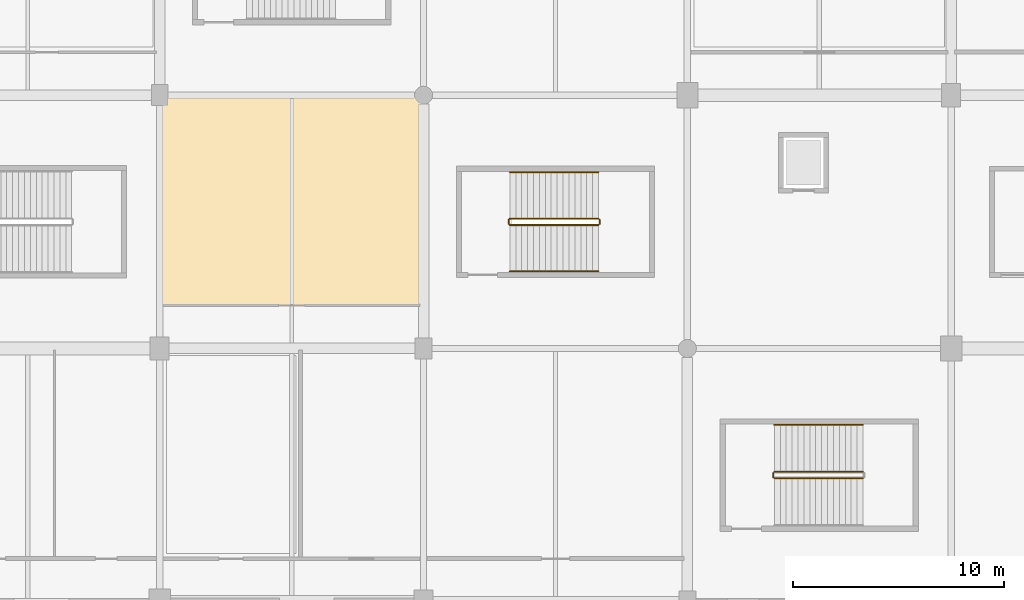
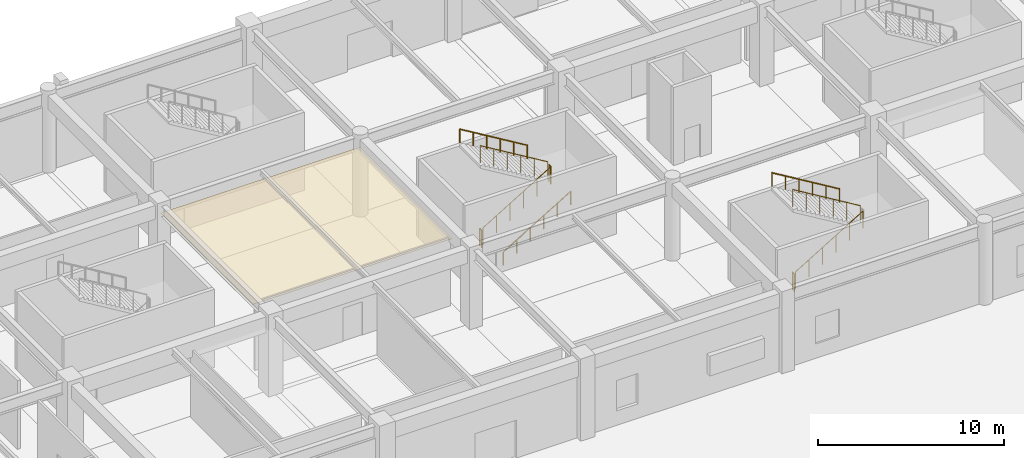
# One storey, part 63 of 69: 10 railings, 1 covering.
"""IFC4 building model written with IfcOpenShell, lengths in metres."""

from ifc_helpers import new_model, si_unit, direction, frame, origin, origin_2d, place, context, subcontext, project, spatial, polyline, circle, outline, extrude, material, layer, layer_set, type_object, element, save


model = new_model("IFC4")

# Units and contexts
model_context = context("Model", 3, precision=1e-05, world=origin(), true_north=direction((0.0, 1.0)))
body_context = subcontext(model_context, "Body", "Model", "MODEL_VIEW")
ifc_project = project(units=[si_unit("LENGTHUNIT", "METRE"), si_unit("AREAUNIT", "SQUARE_METRE"), si_unit("VOLUMEUNIT", "CUBIC_METRE"), si_unit("PLANEANGLEUNIT", "RADIAN"), si_unit("MASSUNIT", "GRAM", prefix="KILO")], contexts=[model_context])

# Site, building, storey
site_placement = place(None, origin())
site = spatial("IfcSite", under=ifc_project, at=site_placement, CompositionType="ELEMENT")
building_placement = place(site_placement, origin())
building = spatial("IfcBuilding", under=site, at=building_placement, Name="Kazenohara Klinker Stadium", CompositionType="ELEMENT")
storey_placement = place(building_placement, origin())
storey = spatial("IfcBuildingStorey", under=building, at=storey_placement, Name="L00", CompositionType="ELEMENT", Elevation=0.0)

# Covering
ifc_material_1 = material(Name="Perforated acoustic mineral-fibre ceiling tile", Category="gypsum")
ifc_layer_1 = layer(ifc_material_1, 0.030029296875)
ifc_layer_set_1 = layer_set([ifc_layer_1], Name="Perforated acoustic mineral-fibre ceiling tile")
covering_type = type_object("IfcCoveringType", Name="COV-CEIL-01", PredefinedType="CEILING", material=ifc_layer_set_1)
covering_placement = place(storey_placement, frame((0.0, 0.0, 4.35009765625)))
element("IfcCovering", 1, at=covering_placement, inside=storey, type_object=covering_type, Name="Suspended acoustic ceiling CL01 Spectator First-Aid Medical Clinic L00-0512A", PredefinedType="CEILING", context=body_context, shape_type="SweptSolid", body=[
    extrude(outline(polyline([(61.5400390625, 146.010009765625), (73.9599609375, 146.010009765625), (73.9599609375, 155.93994140625), (61.5400390625, 155.93994140625), (61.5400390625, 146.010009765625)])), origin(), (0.0, 0.0, 1.0), 0.02978515625),
])

# Railings
ifc_material_2 = material(Name="Brushed stainless steel 304 handrail", Category="steel")
ifc_layer_2 = layer(ifc_material_2, 0.050048828125)
ifc_layer_set_2 = layer_set([ifc_layer_2], Name="Brushed stainless steel 304 handrail")
railing_type_1 = type_object("IfcRailingType", Name="RL-HND-900", PredefinedType="HANDRAIL", material=ifc_layer_set_2)
railing_1_placement = place(storey_placement, frame((78.090087890625, 147.64990234375, 0.168701171875)))
element("IfcRailing", 2, at=railing_1_placement, inside=storey, type_object=railing_type_1, Name="L00 ST09 stair handrail 1", PredefinedType="HANDRAIL", context=body_context, shape_type="SweptSolid", body=[
    extrude(circle(Radius=0.02392578125, at=origin_2d()), frame((0.0, 0.0, 0.8759765625), z_axis=(0.856476492594, 0.0, 0.516186030065), x_axis=(0.0, 1.0, 0.0)), (0.0, 0.0, 1.0), 4.90380859375),
    extrude(circle(Radius=0.02099609375, at=origin_2d()), origin(), (0.0, 0.0, 1.0), 0.851806640625),
    extrude(circle(Radius=0.02099609375, at=origin_2d()), frame((0.840087890625, 0.0, 0.50634765625)), (0.0, 0.0, 1.0), 0.851806640625),
    extrude(circle(Radius=0.02099609375, at=origin_2d()), frame((1.679931640625, 0.0, 1.012451171875)), (0.0, 0.0, 1.0), 0.851806640625),
    extrude(circle(Radius=0.02099609375, at=origin_2d()), frame((2.52001953125, 0.0, 1.518798828125)), (0.0, 0.0, 1.0), 0.851806640625),
    extrude(circle(Radius=0.02099609375, at=origin_2d()), frame((3.35986328125, 0.0, 2.02490234375)), (0.0, 0.0, 1.0), 0.851806640625),
    extrude(circle(Radius=0.02099609375, at=origin_2d()), frame((4.199951171875, 0.0, 2.53125)), (0.0, 0.0, 1.0), 0.851806640625),
])
for number, where, name in (
    (3, (82.2900390625, 152.35009765625, 2.86865234375), "L00 ST09 stair handrail 2"),
    (4, (94.820068359375, 140.3798828125, 2.86865234375), "L00 ST19 stair handrail 2"),
):
    element("IfcRailing", number, at=place(storey_placement, frame(where)), inside=storey, type_object=railing_type_1, Name=name, PredefinedType="HANDRAIL", context=body_context, shape_type="SweptSolid", body=[
        extrude(circle(Radius=0.02392578125, at=origin_2d()), frame((0.0, 0.0, 0.8759765625), z_axis=(-0.856476492594, 0.0, 0.516186030065), x_axis=(0.0, -1.0, 0.0)), (0.0, 0.0, 1.0), 4.90380859375),
        extrude(circle(Radius=0.02099609375, at=origin_2d()), origin(), (0.0, 0.0, 1.0), 0.851806640625),
        extrude(circle(Radius=0.02099609375, at=origin_2d()), frame((-0.840087890625, 0.0, 0.50634765625)), (0.0, 0.0, 1.0), 0.851806640625),
        extrude(circle(Radius=0.02099609375, at=origin_2d()), frame((-1.679931640625, 0.0, 1.012451171875)), (0.0, 0.0, 1.0), 0.851806640625),
        extrude(circle(Radius=0.02099609375, at=origin_2d()), frame((-2.52001953125, 0.0, 1.518798828125)), (0.0, 0.0, 1.0), 0.851806640625),
        extrude(circle(Radius=0.02099609375, at=origin_2d()), frame((-3.35986328125, 0.0, 2.02490234375)), (0.0, 0.0, 1.0), 0.851806640625),
        extrude(circle(Radius=0.02099609375, at=origin_2d()), frame((-4.199951171875, 0.0, 2.53125)), (0.0, 0.0, 1.0), 0.851806640625),
    ])
ifc_material_3 = material(Name="Painted steel stairwell guardrail", Category="steel")
ifc_layer_3 = layer(ifc_material_3, 0.06005859375)
ifc_layer_set_3 = layer_set([ifc_layer_3], Name="Painted steel stairwell guardrail")
railing_type_2 = type_object("IfcRailingType", Name="RL-STG-1120", PredefinedType="GUARDRAIL", material=ifc_layer_set_3)
railing_2_placement = place(storey_placement, frame((78.090087890625, 149.85009765625, 0.168701171875)))
element("IfcRailing", 5, at=railing_2_placement, inside=storey, type_object=railing_type_2, Name="L00 ST09 stair guard 1", PredefinedType="GUARDRAIL", context=body_context, shape_type="SweptSolid", body=[
    extrude(circle(Radius=0.02392578125, at=origin_2d()), frame((0.0, 0.0, 1.1259765625), z_axis=(0.856476492594, 0.0, 0.516186030065), x_axis=(0.0, 1.0, 0.0)), (0.0, 0.0, 1.0), 4.90380859375),
    extrude(circle(Radius=0.02099609375, at=origin_2d()), origin(), (0.0, 0.0, 1.0), 1.101806640625),
    extrude(circle(Radius=0.02099609375, at=origin_2d()), frame((0.840087890625, 0.0, 0.50634765625)), (0.0, 0.0, 1.0), 1.101806640625),
    extrude(circle(Radius=0.02099609375, at=origin_2d()), frame((1.679931640625, 0.0, 1.012451171875)), (0.0, 0.0, 1.0), 1.101806640625),
    extrude(circle(Radius=0.02099609375, at=origin_2d()), frame((2.52001953125, 0.0, 1.518798828125)), (0.0, 0.0, 1.0), 1.101806640625),
    extrude(circle(Radius=0.02099609375, at=origin_2d()), frame((3.35986328125, 0.0, 2.02490234375)), (0.0, 0.0, 1.0), 1.101806640625),
    extrude(circle(Radius=0.02099609375, at=origin_2d()), frame((4.199951171875, 0.0, 2.53125)), (0.0, 0.0, 1.0), 1.101806640625),
])
railing_3_placement = place(storey_placement, frame((82.340087890625, 149.89990234375, 2.699951171875)))
element("IfcRailing", 6, at=railing_3_placement, inside=storey, type_object=railing_type_2, Name="L00 ST09 stair guard 2", PredefinedType="GUARDRAIL", context=body_context, shape_type="SweptSolid", body=[
    extrude(circle(Radius=0.02392578125, at=origin_2d()), frame((0.0, 0.0, 1.1259765625), z_axis=(0.0, 1.0, 0.0), x_axis=(-1.0, 0.0, 0.0)), (0.0, 0.0, 1.0), 0.2001953125),
    extrude(circle(Radius=0.02099609375, at=origin_2d()), origin(), (0.0, 0.0, 1.0), 1.101806640625),
    extrude(circle(Radius=0.02099609375, at=origin_2d()), frame((0.0, 0.2001953125, 0.0)), (0.0, 0.0, 1.0), 1.101806640625),
])
railing_4_placement = place(storey_placement, frame((82.2900390625, 150.14990234375, 2.86865234375)))
element("IfcRailing", 7, at=railing_4_placement, inside=storey, type_object=railing_type_2, Name="L00 ST09 stair guard 3", PredefinedType="GUARDRAIL", context=body_context, shape_type="SweptSolid", body=[
    extrude(circle(Radius=0.02392578125, at=origin_2d()), frame((0.0, 0.0, 1.1259765625), z_axis=(-0.856476492594, 0.0, 0.516186030065), x_axis=(0.0, -1.0, 0.0)), (0.0, 0.0, 1.0), 4.90380859375),
    extrude(circle(Radius=0.02099609375, at=origin_2d()), origin(), (0.0, 0.0, 1.0), 1.101806640625),
    extrude(circle(Radius=0.02099609375, at=origin_2d()), frame((-0.840087890625, 0.0, 0.50634765625)), (0.0, 0.0, 1.0), 1.101806640625),
    extrude(circle(Radius=0.02099609375, at=origin_2d()), frame((-1.679931640625, 0.0, 1.012451171875)), (0.0, 0.0, 1.0), 1.101806640625),
    extrude(circle(Radius=0.02099609375, at=origin_2d()), frame((-2.52001953125, 0.0, 1.518798828125)), (0.0, 0.0, 1.0), 1.101806640625),
    extrude(circle(Radius=0.02099609375, at=origin_2d()), frame((-3.35986328125, 0.0, 2.02490234375)), (0.0, 0.0, 1.0), 1.101806640625),
    extrude(circle(Radius=0.02099609375, at=origin_2d()), frame((-4.199951171875, 0.0, 2.53125)), (0.0, 0.0, 1.0), 1.101806640625),
])
railing_5_placement = place(storey_placement, frame((78.0400390625, 149.89990234375, 0.0)))
element("IfcRailing", 8, at=railing_5_placement, inside=storey, type_object=railing_type_2, Name="L00 ST09 stair guard 4", PredefinedType="GUARDRAIL", context=body_context, shape_type="SweptSolid", body=[
    extrude(circle(Radius=0.02392578125, at=origin_2d()), frame((0.0, 0.0, 1.1259765625), z_axis=(0.0, 1.0, 0.0), x_axis=(-1.0, 0.0, 0.0)), (0.0, 0.0, 1.0), 0.2001953125),
    extrude(circle(Radius=0.02099609375, at=origin_2d()), origin(), (0.0, 0.0, 1.0), 1.101806640625),
    extrude(circle(Radius=0.02099609375, at=origin_2d()), frame((0.0, 0.2001953125, 0.0)), (0.0, 0.0, 1.0), 1.101806640625),
])
railing_6_placement = place(storey_placement, frame((90.6201171875, 137.85009765625, 0.168701171875)))
element("IfcRailing", 9, at=railing_6_placement, inside=storey, type_object=railing_type_2, Name="L00 ST19 stair guard 1", PredefinedType="GUARDRAIL", context=body_context, shape_type="SweptSolid", body=[
    extrude(circle(Radius=0.02392578125, at=origin_2d()), frame((0.0, 0.0, 1.1259765625), z_axis=(0.856476492594, 0.0, 0.516186030065), x_axis=(0.0, 1.0, 0.0)), (0.0, 0.0, 1.0), 4.90380859375),
    extrude(circle(Radius=0.02099609375, at=origin_2d()), origin(), (0.0, 0.0, 1.0), 1.101806640625),
    extrude(circle(Radius=0.02099609375, at=origin_2d()), frame((0.840087890625, 0.0, 0.50634765625)), (0.0, 0.0, 1.0), 1.101806640625),
    extrude(circle(Radius=0.02099609375, at=origin_2d()), frame((1.679931640625, 0.0, 1.012451171875)), (0.0, 0.0, 1.0), 1.101806640625),
    extrude(circle(Radius=0.02099609375, at=origin_2d()), frame((2.52001953125, 0.0, 1.518798828125)), (0.0, 0.0, 1.0), 1.101806640625),
    extrude(circle(Radius=0.02099609375, at=origin_2d()), frame((3.35986328125, 0.0, 2.02490234375)), (0.0, 0.0, 1.0), 1.101806640625),
    extrude(circle(Radius=0.02099609375, at=origin_2d()), frame((4.199951171875, 0.0, 2.53125)), (0.0, 0.0, 1.0), 1.101806640625),
])
railing_7_placement = place(storey_placement, frame((94.820068359375, 138.14990234375, 2.86865234375)))
element("IfcRailing", 10, at=railing_7_placement, inside=storey, type_object=railing_type_2, Name="L00 ST19 stair guard 3", PredefinedType="GUARDRAIL", context=body_context, shape_type="SweptSolid", body=[
    extrude(circle(Radius=0.02392578125, at=origin_2d()), frame((0.0, 0.0, 1.1259765625), z_axis=(-0.856476492594, 0.0, 0.516186030065), x_axis=(0.0, -1.0, 0.0)), (0.0, 0.0, 1.0), 4.90380859375),
    extrude(circle(Radius=0.02099609375, at=origin_2d()), origin(), (0.0, 0.0, 1.0), 1.101806640625),
    extrude(circle(Radius=0.02099609375, at=origin_2d()), frame((-0.840087890625, 0.0, 0.50634765625)), (0.0, 0.0, 1.0), 1.101806640625),
    extrude(circle(Radius=0.02099609375, at=origin_2d()), frame((-1.679931640625, 0.0, 1.012451171875)), (0.0, 0.0, 1.0), 1.101806640625),
    extrude(circle(Radius=0.02099609375, at=origin_2d()), frame((-2.52001953125, 0.0, 1.518798828125)), (0.0, 0.0, 1.0), 1.101806640625),
    extrude(circle(Radius=0.02099609375, at=origin_2d()), frame((-3.35986328125, 0.0, 2.02490234375)), (0.0, 0.0, 1.0), 1.101806640625),
    extrude(circle(Radius=0.02099609375, at=origin_2d()), frame((-4.199951171875, 0.0, 2.53125)), (0.0, 0.0, 1.0), 1.101806640625),
])
railing_8_placement = place(storey_placement, frame((90.570068359375, 137.89990234375, 0.0)))
element("IfcRailing", 11, at=railing_8_placement, inside=storey, type_object=railing_type_2, Name="L00 ST19 stair guard 4", PredefinedType="GUARDRAIL", context=body_context, shape_type="SweptSolid", body=[
    extrude(circle(Radius=0.02392578125, at=origin_2d()), frame((0.0, 0.0, 1.1259765625), z_axis=(0.0, 1.0, 0.0), x_axis=(-1.0, 0.0, 0.0)), (0.0, 0.0, 1.0), 0.2001953125),
    extrude(circle(Radius=0.02099609375, at=origin_2d()), origin(), (0.0, 0.0, 1.0), 1.101806640625),
    extrude(circle(Radius=0.02099609375, at=origin_2d()), frame((0.0, 0.2001953125, 0.0)), (0.0, 0.0, 1.0), 1.101806640625),
])

save(model, "model.ifc")
